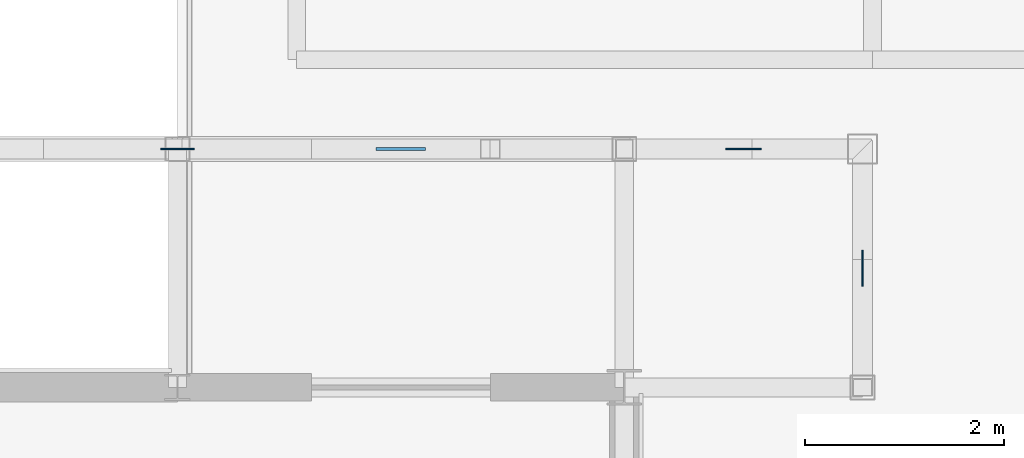
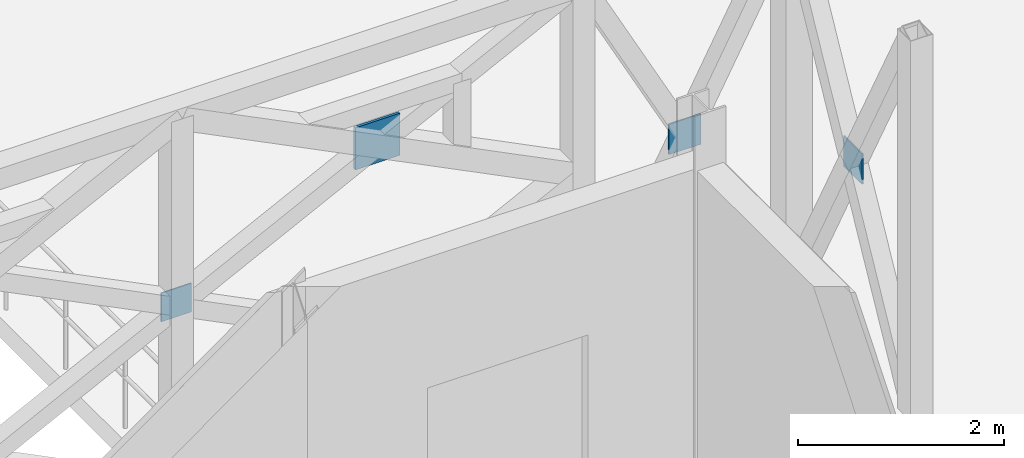
# One storey, part 42 of 89: 4 plates.
"""IFC4 building model written with IfcOpenShell, lengths in metres."""

from ifc_helpers import new_model, si_unit, direction, frame, origin, origin_2d, place, context, subcontext, project, spatial, rectangle, extrude, material, layer, layer_set, type_object, element, save


model = new_model("IFC4")

# Units and contexts
model_context = context("Model", 3, precision=1e-05, world=origin(), true_north=direction((0.0, 1.0)))
body_context = subcontext(model_context, "Body", "Model", "MODEL_VIEW")
ifc_project = project(units=[si_unit("LENGTHUNIT", "METRE"), si_unit("AREAUNIT", "SQUARE_METRE"), si_unit("VOLUMEUNIT", "CUBIC_METRE"), si_unit("PLANEANGLEUNIT", "RADIAN"), si_unit("MASSUNIT", "GRAM", prefix="KILO"), si_unit("THERMODYNAMICTEMPERATUREUNIT", "KELVIN"), si_unit("POWERUNIT", "WATT")], contexts=[model_context])

# Site, building, storey
site_placement = place(None, origin())
site = spatial("IfcSite", under=ifc_project, at=site_placement, CompositionType="ELEMENT")
building_placement = place(site_placement, origin())
building = spatial("IfcBuilding", under=site, at=building_placement, Name="Tallowbark Science Centre", CompositionType="ELEMENT")
storey_placement = place(building_placement, frame((0.0, 0.0, 14.39990234375)))
storey = spatial("IfcBuildingStorey", under=building, at=storey_placement, Name="L03", CompositionType="ELEMENT", Elevation=14.39990234375)

# Plates
ifc_material = material(Name="Structural Steel Grade 300PLUS (300 MPa)", Category="steel")
ifc_layer_1 = layer(ifc_material, 0.013916015625)
ifc_layer_set_1 = layer_set([ifc_layer_1], Name="Structural Steel Grade 300PLUS (300 MPa)")
plate_type_1 = type_object("IfcPlateType", Name="PLT-GUS-14", PredefinedType="SHEET", material=ifc_layer_set_1)
plate_1_placement = place(storey_placement, frame((99.0, 42.89990234375, 2.080078125), z_axis=(0.0, 0.0, 1.0), x_axis=(1.0, 0.0, 0.0)))
element("IfcPlate", 1, at=plate_1_placement, inside=storey, type_object=plate_type_1, Name="Star X-Brace Crossing Gusset Plate N-27", PredefinedType="SHEET", context=body_context, shape_type="SweptSolid", body=[
    extrude(rectangle(XDim=0.340087890625, YDim=0.013916015625, at=origin_2d()), origin(), (0.0, 0.0, 1.0), 0.340087890625),
])
ifc_layer_2 = layer(ifc_material, 0.01611328125)
ifc_layer_set_2 = layer_set([ifc_layer_2], Name="Structural Steel Grade 300PLUS (300 MPa)")
plate_type_2 = type_object("IfcPlateType", Name="PLT-GUS-16", PredefinedType="SHEET", material=ifc_layer_set_2)
for number, where, z_axis, x_axis, name in (
    (2, (104.699951171875, 42.89990234375, 2.06982421875), (0.0, 0.0, 1.0), (1.0, 0.0, 0.0), "Star Screen Corner X-Brace Gusset NEX-L03"),
    (3, (105.89990234375, 41.699951171875, 2.06982421875), (0.0, 0.0, 1.0), (0.0, 1.0, 0.0), "Star Screen Corner X-Brace Gusset NEY-L03"),
):
    element("IfcPlate", number, at=place(storey_placement, frame(where, z_axis=z_axis, x_axis=x_axis)), inside=storey, type_object=plate_type_2, Name=name, PredefinedType="SHEET", context=body_context, shape_type="SweptSolid", body=[
        extrude(rectangle(XDim=0.360107421875, YDim=0.01611328125, at=origin_2d()), origin(), (0.0, 0.0, 1.0), 0.360107421875),
    ])
ifc_layer_3 = layer(ifc_material, 0.030029296875)
ifc_layer_set_3 = layer_set([ifc_layer_3], Name="Structural Steel Grade 300PLUS (300 MPa)")
plate_type_3 = type_object("IfcPlateType", Name="PLT-GUS-30", PredefinedType="SHEET", material=ifc_layer_set_3)
plate_2_placement = place(storey_placement, frame((101.25, 42.89990234375, 3.125), z_axis=(0.0, 0.0, 1.0), x_axis=(1.0, 0.0, 0.0)))
element("IfcPlate", 4, at=plate_2_placement, inside=storey, type_object=plate_type_3, Name="Star Primary Chord Crossing Gusset Plate N-27", PredefinedType="SHEET", context=body_context, shape_type="SweptSolid", body=[
    extrude(rectangle(XDim=0.5, YDim=0.030029296875, at=origin_2d()), origin(), (0.0, 0.0, 1.0), 0.5),
])

save(model, "model.ifc")
